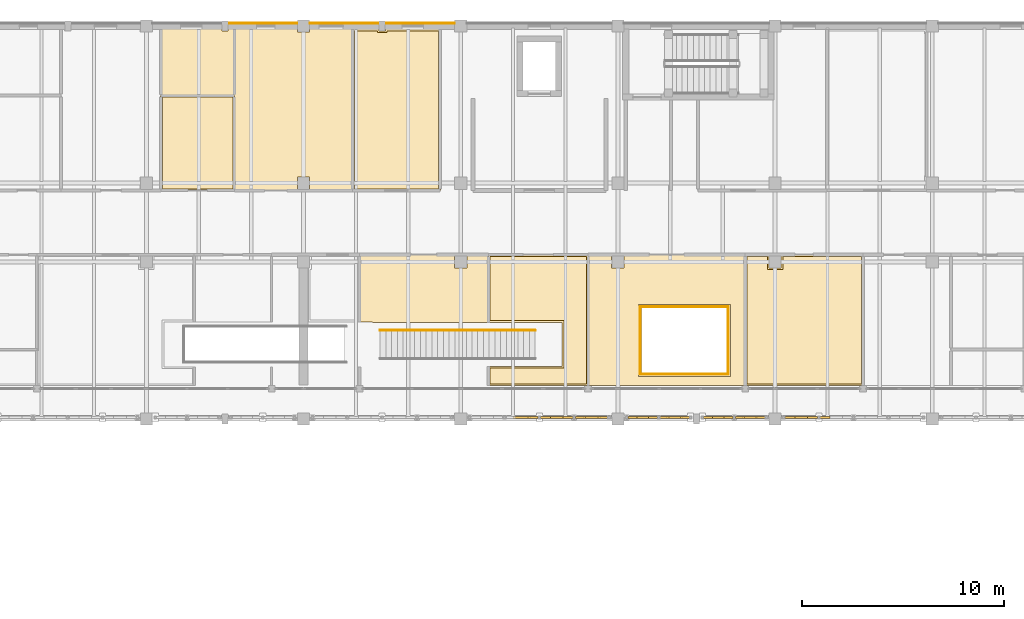
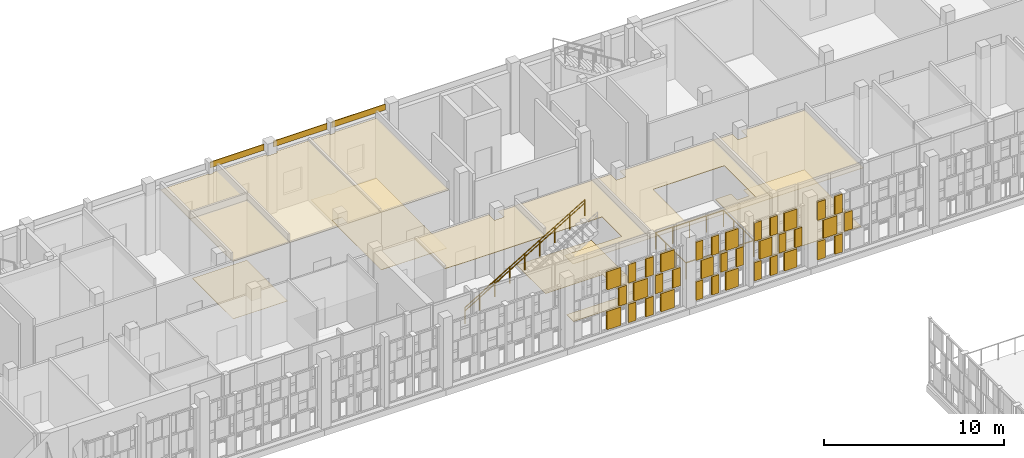
# One storey, part 134 of 138: 50 coverings, 6 railings.
"""IFC4 building model written with IfcOpenShell, lengths in metres."""

from ifc_helpers import new_model, si_unit, direction, frame, origin, origin_2d, place, context, subcontext, project, spatial, polyline, rectangle, circle, outline, extrude, material, layer, layer_set, type_object, element, save


model = new_model("IFC4")

# Units and contexts
model_context = context("Model", 3, precision=1e-05, world=origin(), true_north=direction((0.0, 1.0)))
body_context = subcontext(model_context, "Body", "Model", "MODEL_VIEW")
ifc_project = project(units=[si_unit("LENGTHUNIT", "METRE"), si_unit("AREAUNIT", "SQUARE_METRE"), si_unit("VOLUMEUNIT", "CUBIC_METRE"), si_unit("PLANEANGLEUNIT", "RADIAN"), si_unit("MASSUNIT", "GRAM", prefix="KILO")], contexts=[model_context])

# Site, building, storey
site_placement = place(None, origin())
site = spatial("IfcSite", under=ifc_project, at=site_placement, CompositionType="ELEMENT")
building_placement = place(site_placement, origin())
building = spatial("IfcBuilding", under=site, at=building_placement, Name="Celorna Specialist Clinic", CompositionType="ELEMENT")
storey_placement = place(building_placement, frame((0.0, 0.0, 4.800048828125)))
storey = spatial("IfcBuildingStorey", under=building, at=storey_placement, Name="L01", CompositionType="ELEMENT", Elevation=4.800048828125)

# Railings
ifc_material_1 = material(Name="Stainless steel and laminated glass balustrade", Category="steel")
railing_type_1 = type_object("IfcRailingType", Name="BL-01", PredefinedType="BALUSTRADE", material=ifc_material_1)
railing_1_placement = place(storey_placement, frame((105.199951171875, 100.89990234375, 0.17138671875)))
element("IfcRailing", 1, at=railing_1_placement, inside=storey, type_object=railing_type_1, Name="Feature stair ST-17 balustrade", PredefinedType="BALUSTRADE", context=body_context, shape_type="SweptSolid", body=[
    extrude(circle(Radius=0.02392578125, at=origin_2d()), frame((0.0, 0.0, 1.09619140625), z_axis=(0.856921461139, 0.0, 0.515446999642), x_axis=(0.0, 1.0, 0.0)), (0.0, 0.0, 1.0), 8.97998046875),
    extrude(circle(Radius=0.02099609375, at=origin_2d()), origin(), (0.0, 0.0, 1.0), 1.072021484375),
    extrude(circle(Radius=0.02099609375, at=origin_2d()), frame((0.9619140625, 0.0, 0.57861328125)), (0.0, 0.0, 1.0), 1.072021484375),
    extrude(circle(Radius=0.02099609375, at=origin_2d()), frame((1.923828125, 0.0, 1.1572265625)), (0.0, 0.0, 1.0), 1.072021484375),
    extrude(circle(Radius=0.02099609375, at=origin_2d()), frame((2.8857421875, 0.0, 1.73583984375)), (0.0, 0.0, 1.0), 1.072021484375),
    extrude(circle(Radius=0.02099609375, at=origin_2d()), frame((3.84765625, 0.0, 2.314453125)), (0.0, 0.0, 1.0), 1.072021484375),
    extrude(circle(Radius=0.02099609375, at=origin_2d()), frame((4.809326171875, 0.0, 2.892822265625)), (0.0, 0.0, 1.0), 1.072021484375),
    extrude(circle(Radius=0.02099609375, at=origin_2d()), frame((5.771240234375, 0.0, 3.471435546875)), (0.0, 0.0, 1.0), 1.072021484375),
    extrude(circle(Radius=0.02099609375, at=origin_2d()), frame((6.733154296875, 0.0, 4.050048828125)), (0.0, 0.0, 1.0), 1.072021484375),
    extrude(circle(Radius=0.02099609375, at=origin_2d()), frame((7.695068359375, 0.0, 4.628662109375)), (0.0, 0.0, 1.0), 1.072021484375),
])
railing_2_placement = place(storey_placement, frame((118.1201171875, 98.719970703125, 0.0)))
element("IfcRailing", 2, at=railing_2_placement, inside=storey, type_object=railing_type_1, Name="Clinical lightwell balustrade L01 #1-1", PredefinedType="BALUSTRADE", context=body_context, shape_type="SweptSolid", body=[
    extrude(circle(Radius=0.02392578125, at=origin_2d()), frame((0.0, 0.0, 1.09619140625), z_axis=(1.0, 0.0, 0.0), x_axis=(0.0, 1.0, 0.0)), (0.0, 0.0, 1.0), 4.35986328125),
    extrude(circle(Radius=0.02099609375, at=origin_2d()), origin(), (0.0, 0.0, 1.0), 1.072021484375),
    extrude(circle(Radius=0.02099609375, at=origin_2d()), frame((1.08984375, 0.0, 0.0)), (0.0, 0.0, 1.0), 1.072021484375),
    extrude(circle(Radius=0.02099609375, at=origin_2d()), frame((2.179931640625, 0.0, 0.0)), (0.0, 0.0, 1.0), 1.072021484375),
    extrude(circle(Radius=0.02099609375, at=origin_2d()), frame((3.27001953125, 0.0, 0.0)), (0.0, 0.0, 1.0), 1.072021484375),
    extrude(circle(Radius=0.02099609375, at=origin_2d()), frame((4.35986328125, 0.0, 0.0)), (0.0, 0.0, 1.0), 1.072021484375),
])
railing_3_placement = place(storey_placement, frame((122.47998046875, 98.719970703125, 0.0)))
element("IfcRailing", 3, at=railing_3_placement, inside=storey, type_object=railing_type_1, Name="Clinical lightwell balustrade L01 #1-2", PredefinedType="BALUSTRADE", context=body_context, shape_type="SweptSolid", body=[
    extrude(circle(Radius=0.02392578125, at=origin_2d()), frame((0.0, 0.0, 1.09619140625), z_axis=(0.0, 1.0, 0.0), x_axis=(-1.0, 0.0, 0.0)), (0.0, 0.0, 1.0), 3.360107421875),
    extrude(circle(Radius=0.02099609375, at=origin_2d()), origin(), (0.0, 0.0, 1.0), 1.072021484375),
    extrude(circle(Radius=0.02099609375, at=origin_2d()), frame((0.0, 1.1201171875, 0.0)), (0.0, 0.0, 1.0), 1.072021484375),
    extrude(circle(Radius=0.02099609375, at=origin_2d()), frame((0.0, 2.239990234375, 0.0)), (0.0, 0.0, 1.0), 1.072021484375),
    extrude(circle(Radius=0.02099609375, at=origin_2d()), frame((0.0, 3.360107421875, 0.0)), (0.0, 0.0, 1.0), 1.072021484375),
])
railing_4_placement = place(storey_placement, frame((122.47998046875, 102.080078125, 0.0)))
element("IfcRailing", 4, at=railing_4_placement, inside=storey, type_object=railing_type_1, Name="Clinical lightwell balustrade L01 #1-3", PredefinedType="BALUSTRADE", context=body_context, shape_type="SweptSolid", body=[
    extrude(circle(Radius=0.02392578125, at=origin_2d()), frame((0.0, 0.0, 1.09619140625), z_axis=(-1.0, 0.0, 0.0), x_axis=(0.0, -1.0, 0.0)), (0.0, 0.0, 1.0), 4.35986328125),
    extrude(circle(Radius=0.02099609375, at=origin_2d()), origin(), (0.0, 0.0, 1.0), 1.072021484375),
    extrude(circle(Radius=0.02099609375, at=origin_2d()), frame((-1.08984375, 0.0, 0.0)), (0.0, 0.0, 1.0), 1.072021484375),
    extrude(circle(Radius=0.02099609375, at=origin_2d()), frame((-2.179931640625, 0.0, 0.0)), (0.0, 0.0, 1.0), 1.072021484375),
    extrude(circle(Radius=0.02099609375, at=origin_2d()), frame((-3.27001953125, 0.0, 0.0)), (0.0, 0.0, 1.0), 1.072021484375),
    extrude(circle(Radius=0.02099609375, at=origin_2d()), frame((-4.35986328125, 0.0, 0.0)), (0.0, 0.0, 1.0), 1.072021484375),
])
railing_5_placement = place(storey_placement, frame((118.1201171875, 102.080078125, 0.0)))
element("IfcRailing", 5, at=railing_5_placement, inside=storey, type_object=railing_type_1, Name="Clinical lightwell balustrade L01 #1-4", PredefinedType="BALUSTRADE", context=body_context, shape_type="SweptSolid", body=[
    extrude(circle(Radius=0.02392578125, at=origin_2d()), frame((0.0, 0.0, 1.09619140625), z_axis=(0.0, -1.0, 0.0), x_axis=(1.0, 0.0, 0.0)), (0.0, 0.0, 1.0), 3.360107421875),
    extrude(circle(Radius=0.02099609375, at=origin_2d()), origin(), (0.0, 0.0, 1.0), 1.072021484375),
    extrude(circle(Radius=0.02099609375, at=origin_2d()), frame((0.0, -1.1201171875, 0.0)), (0.0, 0.0, 1.0), 1.072021484375),
    extrude(circle(Radius=0.02099609375, at=origin_2d()), frame((0.0, -2.239990234375, 0.0)), (0.0, 0.0, 1.0), 1.072021484375),
    extrude(circle(Radius=0.02099609375, at=origin_2d()), frame((0.0, -3.360107421875, 0.0)), (0.0, 0.0, 1.0), 1.072021484375),
])

# Coverings
ifc_material_2 = material(Name="Hygienic acoustic mineral-fibre ceiling")
ifc_layer_1 = layer(ifc_material_2, 0.030029296875, Name="Hygienic acoustic mineral-fibre ceiling")
ifc_layer_set_1 = layer_set([ifc_layer_1], Name="Hygienic acoustic mineral-fibre ceiling")
covering_type_1 = type_object("IfcCoveringType", Name="CE-01", PredefinedType="CEILING", material=ifc_layer_set_1)
covering_1_placement = place(storey_placement, frame((0.0, 0.0, 3.989990234375)))
element("IfcCovering", 6, at=covering_1_placement, inside=storey, type_object=covering_type_1, Name="Acoustic ceiling L01-063", PredefinedType="CEILING", context=body_context, shape_type="SweptSolid", body=[
    extrude(outline(polyline([(104.830078125, 101.31005859375), (104.155029296875, 101.31005859375), (104.155029296875, 104.6650390625), (108.905029296875, 104.6650390625), (108.905029296875, 104.60498046875), (108.89501953125, 104.60498046875), (108.89501953125, 103.9951171875), (109.5048828125, 103.9951171875), (109.5048828125, 104.60498046875), (109.4951171875, 104.60498046875), (109.4951171875, 104.6650390625), (110.5849609375, 104.6650390625), (110.5849609375, 101.284912109375), (104.830078125, 101.284912109375), (104.830078125, 101.31005859375)])), origin(), (0.0, 0.0, 1.0), 0.030029296875),
])
covering_2_placement = place(storey_placement, frame((0.0, 0.0, 3.989990234375)))
element("IfcCovering", 7, at=covering_2_placement, inside=storey, type_object=covering_type_1, Name="Acoustic ceiling L01-064", PredefinedType="CEILING", context=body_context, shape_type="SweptSolid", body=[
    extrude(outline(polyline([(115.534912109375, 98.155029296875), (110.554931640625, 98.155029296875), (110.554931640625, 99.114990234375), (114.22998046875, 99.114990234375), (114.22998046875, 101.284912109375), (110.554931640625, 101.284912109375), (110.554931640625, 104.6650390625), (115.534912109375, 104.6650390625), (115.534912109375, 98.155029296875)])), origin(), (0.0, 0.0, 1.0), 0.030029296875),
])
covering_3_placement = place(storey_placement, frame((0.0, 0.0, 3.989990234375)))
element("IfcCovering", 8, at=covering_3_placement, inside=storey, type_object=covering_type_1, Name="Acoustic ceiling L01-065", PredefinedType="CEILING", context=body_context, shape_type="SweptSolid", body=[
    extrude(outline(polyline([(116.705078125, 104.6650390625), (116.705078125, 104.60498046875), (116.695068359375, 104.60498046875), (116.695068359375, 103.9951171875), (117.304931640625, 103.9951171875), (117.304931640625, 104.60498046875), (117.294921875, 104.60498046875), (117.294921875, 104.6650390625), (123.3349609375, 104.6650390625), (123.3349609375, 98.155029296875), (115.5048828125, 98.155029296875), (115.5048828125, 104.6650390625), (116.705078125, 104.6650390625)]), holes=[polyline([(122.5849609375, 102.18505859375), (118.014892578125, 102.18505859375), (118.014892578125, 98.614990234375), (122.5849609375, 98.614990234375), (122.5849609375, 102.18505859375)])]), origin(), (0.0, 0.0, 1.0), 0.030029296875),
])
covering_4_placement = place(storey_placement, frame((0.0, 0.0, 3.989990234375)))
element("IfcCovering", 9, at=covering_4_placement, inside=storey, type_object=covering_type_1, Name="Acoustic ceiling L01-066", PredefinedType="CEILING", context=body_context, shape_type="SweptSolid", body=[
    extrude(outline(polyline([(124.5048828125, 104.6650390625), (124.5048828125, 104.60498046875), (124.4951171875, 104.60498046875), (124.4951171875, 103.9951171875), (125.10498046875, 103.9951171875), (125.10498046875, 104.60498046875), (125.094970703125, 104.60498046875), (125.094970703125, 104.6650390625), (129.18505859375, 104.6650390625), (129.18505859375, 98.155029296875), (123.304931640625, 98.155029296875), (123.304931640625, 104.6650390625), (124.5048828125, 104.6650390625)])), origin(), (0.0, 0.0, 1.0), 0.030029296875),
])
covering_5_placement = place(storey_placement, frame((0.0, 0.0, 3.989990234375)))
element("IfcCovering", 10, at=covering_5_placement, inside=storey, type_object=covering_type_1, Name="Acoustic ceiling L01-080", PredefinedType="CEILING", context=body_context, shape_type="SweptSolid", body=[
    extrude(outline(polyline([(97.985107421875, 112.56494140625), (97.985107421875, 107.8349609375), (94.304931640625, 107.8349609375), (94.304931640625, 112.56494140625), (97.985107421875, 112.56494140625)])), origin(), (0.0, 0.0, 1.0), 0.030029296875),
])
covering_6_placement = place(storey_placement, frame((0.0, 0.0, 3.989990234375)))
element("IfcCovering", 11, at=covering_6_placement, inside=storey, type_object=covering_type_1, Name="Acoustic ceiling L01-081", PredefinedType="CEILING", context=body_context, shape_type="SweptSolid", body=[
    extrude(outline(polyline([(101.094970703125, 115.844970703125), (101.094970703125, 115.695068359375), (101.705078125, 115.695068359375), (101.705078125, 115.844970703125), (103.8349609375, 115.844970703125), (103.8349609375, 107.8349609375), (101.695068359375, 107.8349609375), (101.695068359375, 107.89501953125), (101.705078125, 107.89501953125), (101.705078125, 108.5048828125), (101.094970703125, 108.5048828125), (101.094970703125, 107.89501953125), (101.10498046875, 107.89501953125), (101.10498046875, 107.8349609375), (97.955078125, 107.8349609375), (97.955078125, 112.534912109375), (94.304931640625, 112.534912109375), (94.304931640625, 115.844970703125), (97.344970703125, 115.844970703125), (97.344970703125, 115.7548828125), (97.655029296875, 115.7548828125), (97.655029296875, 115.844970703125), (101.094970703125, 115.844970703125)])), origin(), (0.0, 0.0, 1.0), 0.030029296875),
])
covering_7_placement = place(storey_placement, frame((0.0, 0.0, 3.989990234375)))
element("IfcCovering", 12, at=covering_7_placement, inside=storey, type_object=covering_type_1, Name="Acoustic ceiling L01-082", PredefinedType="CEILING", context=body_context, shape_type="SweptSolid", body=[
    extrude(outline(polyline([(105.14501953125, 115.844970703125), (105.14501953125, 115.7548828125), (105.455078125, 115.7548828125), (105.455078125, 115.844970703125), (108.18505859375, 115.844970703125), (108.18505859375, 107.8349609375), (103.804931640625, 107.8349609375), (103.804931640625, 115.844970703125), (105.14501953125, 115.844970703125)])), origin(), (0.0, 0.0, 1.0), 0.030029296875),
])
ifc_material_3 = material(Name="Pero Pinheiro Lioz limestone rainscreen cladding", Category="masonry")
ifc_layer_2 = layer(ifc_material_3, 0.044921875, Name="Pero Pinheiro Lioz limestone rainscreen cladding")
ifc_layer_set_2 = layer_set([ifc_layer_2], Name="Pero Pinheiro Lioz limestone rainscreen cladding")
covering_type_2 = type_object("IfcCoveringType", Name="CL-01", PredefinedType="CLADDING", material=ifc_layer_set_2)
for number, where, z_axis, x_axis, name in (
    (13, (99.375, 116.1474609375, 4.139892578125), (0.0, 0.0, 1.0), (1.0, 0.0, 0.0), "Lioz spandrel cladding #213"),
    (14, (103.425048828125, 116.1474609375, 4.139892578125), (0.0, 0.0, 1.0), (1.0, 0.0, 0.0), "Lioz spandrel cladding #214"),
    (15, (107.175048828125, 116.1474609375, 4.139892578125), (0.0, 0.0, 1.0), (1.0, 0.0, 0.0), "Lioz spandrel cladding #215"),
):
    element("IfcCovering", number, at=place(storey_placement, frame(where, z_axis=z_axis, x_axis=x_axis)), inside=storey, type_object=covering_type_2, Name=name, PredefinedType="CLADDING", context=body_context, shape_type="SweptSolid", body=[
        extrude(rectangle(XDim=3.449951171875, YDim=0.044921875, at=origin_2d()), origin(), (0.0, 0.0, 1.0), 0.39990234375),
    ])
ifc_material_4 = material(Name="Perforated terracotta brick weave cladding", Category="masonry")
ifc_layer_3 = layer(ifc_material_4, 0.114990234375, Name="Perforated terracotta brick weave cladding")
ifc_layer_set_3 = layer_set([ifc_layer_3], Name="Perforated terracotta brick weave cladding")
covering_type_3 = type_object("IfcCoveringType", Name="CL-02", PredefinedType="CLADDING", material=ifc_layer_set_3)
covering_8_placement = place(storey_placement, frame((112.235107421875, 96.570068359375, 0.10009765625), z_axis=(0.0, 0.0, 1.0), x_axis=(1.0, 0.0, 0.0)))
element("IfcCovering", 16, at=covering_8_placement, inside=storey, type_object=covering_type_3, Name="Woven perforated terracotta brick course #748", PredefinedType="CLADDING", context=body_context, shape_type="SweptSolid", body=[
    extrude(rectangle(XDim=0.869384765625, YDim=0.114990234375, at=origin_2d()), origin(), (0.0, 0.0, 1.0), 1.24658203125),
])
covering_9_placement = place(storey_placement, frame((112.79443359375, 96.570068359375, 1.44677734375), z_axis=(0.0, 0.0, 1.0), x_axis=(1.0, 0.0, 0.0)))
element("IfcCovering", 17, at=covering_9_placement, inside=storey, type_object=covering_type_3, Name="Woven perforated terracotta brick course #750", PredefinedType="CLADDING", context=body_context, shape_type="SweptSolid", body=[
    extrude(rectangle(XDim=0.4912109375, YDim=0.114990234375, at=origin_2d()), origin(), (0.0, 0.0, 1.0), 1.24658203125),
])
covering_10_placement = place(storey_placement, frame((112.235107421875, 96.570068359375, 2.793212890625), z_axis=(0.0, 0.0, 1.0), x_axis=(1.0, 0.0, 0.0)))
element("IfcCovering", 18, at=covering_10_placement, inside=storey, type_object=covering_type_3, Name="Woven perforated terracotta brick course #751", PredefinedType="CLADDING", context=body_context, shape_type="SweptSolid", body=[
    extrude(rectangle(XDim=0.869384765625, YDim=0.114990234375, at=origin_2d()), origin(), (0.0, 0.0, 1.0), 1.24658203125),
])
for number, where, z_axis, x_axis, name in (
    (19, (113.405517578125, 96.570068359375, 0.10009765625), (0.0, 0.0, 1.0), (1.0, 0.0, 0.0), "Woven perforated terracotta brick course #752"),
    (20, (114.5244140625, 96.570068359375, 0.10009765625), (0.0, 0.0, 1.0), (1.0, 0.0, 0.0), "Woven perforated terracotta brick course #753"),
):
    element("IfcCovering", number, at=place(storey_placement, frame(where, z_axis=z_axis, x_axis=x_axis)), inside=storey, type_object=covering_type_3, Name=name, PredefinedType="CLADDING", context=body_context, shape_type="SweptSolid", body=[
        extrude(rectangle(XDim=0.4912109375, YDim=0.114990234375, at=origin_2d()), origin(), (0.0, 0.0, 1.0), 1.24658203125),
    ])
covering_11_placement = place(storey_placement, frame((113.965087890625, 96.570068359375, 1.44677734375), z_axis=(0.0, 0.0, 1.0), x_axis=(1.0, 0.0, 0.0)))
element("IfcCovering", 21, at=covering_11_placement, inside=storey, type_object=covering_type_3, Name="Woven perforated terracotta brick course #754", PredefinedType="CLADDING", context=body_context, shape_type="SweptSolid", body=[
    extrude(rectangle(XDim=0.869384765625, YDim=0.114990234375, at=origin_2d()), origin(), (0.0, 0.0, 1.0), 1.24658203125),
])
for number, where, z_axis, x_axis, name in (
    (22, (113.405517578125, 96.570068359375, 2.793212890625), (0.0, 0.0, 1.0), (1.0, 0.0, 0.0), "Woven perforated terracotta brick course #755"),
    (23, (114.5244140625, 96.570068359375, 2.793212890625), (0.0, 0.0, 1.0), (1.0, 0.0, 0.0), "Woven perforated terracotta brick course #756"),
):
    element("IfcCovering", number, at=place(storey_placement, frame(where, z_axis=z_axis, x_axis=x_axis)), inside=storey, type_object=covering_type_3, Name=name, PredefinedType="CLADDING", context=body_context, shape_type="SweptSolid", body=[
        extrude(rectangle(XDim=0.4912109375, YDim=0.114990234375, at=origin_2d()), origin(), (0.0, 0.0, 1.0), 1.24658203125),
    ])
covering_12_placement = place(storey_placement, frame((115.695068359375, 96.570068359375, 0.10009765625), z_axis=(0.0, 0.0, 1.0), x_axis=(1.0, 0.0, 0.0)))
element("IfcCovering", 24, at=covering_12_placement, inside=storey, type_object=covering_type_3, Name="Woven perforated terracotta brick course #757", PredefinedType="CLADDING", context=body_context, shape_type="SweptSolid", body=[
    extrude(rectangle(XDim=0.869384765625, YDim=0.114990234375, at=origin_2d()), origin(), (0.0, 0.0, 1.0), 1.24658203125),
])
for number, where, z_axis, x_axis, name in (
    (25, (115.135498046875, 96.570068359375, 1.44677734375), (0.0, 0.0, 1.0), (1.0, 0.0, 0.0), "Woven perforated terracotta brick course #758"),
    (26, (116.25439453125, 96.570068359375, 1.44677734375), (0.0, 0.0, 1.0), (1.0, 0.0, 0.0), "Woven perforated terracotta brick course #759"),
):
    element("IfcCovering", number, at=place(storey_placement, frame(where, z_axis=z_axis, x_axis=x_axis)), inside=storey, type_object=covering_type_3, Name=name, PredefinedType="CLADDING", context=body_context, shape_type="SweptSolid", body=[
        extrude(rectangle(XDim=0.4912109375, YDim=0.114990234375, at=origin_2d()), origin(), (0.0, 0.0, 1.0), 1.24658203125),
    ])
covering_13_placement = place(storey_placement, frame((115.695068359375, 96.570068359375, 2.793212890625), z_axis=(0.0, 0.0, 1.0), x_axis=(1.0, 0.0, 0.0)))
element("IfcCovering", 27, at=covering_13_placement, inside=storey, type_object=covering_type_3, Name="Woven perforated terracotta brick course #760", PredefinedType="CLADDING", context=body_context, shape_type="SweptSolid", body=[
    extrude(rectangle(XDim=0.869384765625, YDim=0.114990234375, at=origin_2d()), origin(), (0.0, 0.0, 1.0), 1.24658203125),
])
for number, where, z_axis, x_axis, name in (
    (28, (117.723388671875, 96.570068359375, 0.10009765625), (0.0, 0.0, 1.0), (1.0, 0.0, 0.0), "Woven perforated terracotta brick course #761"),
    (29, (118.74169921875, 96.570068359375, 0.10009765625), (0.0, 0.0, 1.0), (1.0, 0.0, 0.0), "Woven perforated terracotta brick course #762"),
):
    element("IfcCovering", number, at=place(storey_placement, frame(where, z_axis=z_axis, x_axis=x_axis)), inside=storey, type_object=covering_type_3, Name=name, PredefinedType="CLADDING", context=body_context, shape_type="SweptSolid", body=[
        extrude(rectangle(XDim=0.44677734375, YDim=0.114990234375, at=origin_2d()), origin(), (0.0, 0.0, 1.0), 1.24658203125),
    ])
covering_14_placement = place(storey_placement, frame((118.232421875, 96.570068359375, 1.44677734375), z_axis=(0.0, 0.0, 1.0), x_axis=(1.0, 0.0, 0.0)))
element("IfcCovering", 30, at=covering_14_placement, inside=storey, type_object=covering_type_3, Name="Woven perforated terracotta brick course #763", PredefinedType="CLADDING", context=body_context, shape_type="SweptSolid", body=[
    extrude(rectangle(XDim=0.791015625, YDim=0.114990234375, at=origin_2d()), origin(), (0.0, 0.0, 1.0), 1.24658203125),
])
for number, where, z_axis, x_axis, name in (
    (31, (117.723388671875, 96.570068359375, 2.793212890625), (0.0, 0.0, 1.0), (1.0, 0.0, 0.0), "Woven perforated terracotta brick course #764"),
    (32, (118.74169921875, 96.570068359375, 2.793212890625), (0.0, 0.0, 1.0), (1.0, 0.0, 0.0), "Woven perforated terracotta brick course #765"),
):
    element("IfcCovering", number, at=place(storey_placement, frame(where, z_axis=z_axis, x_axis=x_axis)), inside=storey, type_object=covering_type_3, Name=name, PredefinedType="CLADDING", context=body_context, shape_type="SweptSolid", body=[
        extrude(rectangle(XDim=0.44677734375, YDim=0.114990234375, at=origin_2d()), origin(), (0.0, 0.0, 1.0), 1.24658203125),
    ])
covering_15_placement = place(storey_placement, frame((119.8173828125, 96.570068359375, 0.10009765625), z_axis=(0.0, 0.0, 1.0), x_axis=(1.0, 0.0, 0.0)))
element("IfcCovering", 33, at=covering_15_placement, inside=storey, type_object=covering_type_3, Name="Woven perforated terracotta brick course #766", PredefinedType="CLADDING", context=body_context, shape_type="SweptSolid", body=[
    extrude(rectangle(XDim=0.791015625, YDim=0.114990234375, at=origin_2d()), origin(), (0.0, 0.0, 1.0), 1.24658203125),
])
for number, where, z_axis, x_axis, name in (
    (34, (119.308349609375, 96.570068359375, 1.44677734375), (0.0, 0.0, 1.0), (1.0, 0.0, 0.0), "Woven perforated terracotta brick course #767"),
    (35, (120.32666015625, 96.570068359375, 1.44677734375), (0.0, 0.0, 1.0), (1.0, 0.0, 0.0), "Woven perforated terracotta brick course #768"),
):
    element("IfcCovering", number, at=place(storey_placement, frame(where, z_axis=z_axis, x_axis=x_axis)), inside=storey, type_object=covering_type_3, Name=name, PredefinedType="CLADDING", context=body_context, shape_type="SweptSolid", body=[
        extrude(rectangle(XDim=0.44677734375, YDim=0.114990234375, at=origin_2d()), origin(), (0.0, 0.0, 1.0), 1.24658203125),
    ])
covering_16_placement = place(storey_placement, frame((119.8173828125, 96.570068359375, 2.793212890625), z_axis=(0.0, 0.0, 1.0), x_axis=(1.0, 0.0, 0.0)))
element("IfcCovering", 36, at=covering_16_placement, inside=storey, type_object=covering_type_3, Name="Woven perforated terracotta brick course #769", PredefinedType="CLADDING", context=body_context, shape_type="SweptSolid", body=[
    extrude(rectangle(XDim=0.791015625, YDim=0.114990234375, at=origin_2d()), origin(), (0.0, 0.0, 1.0), 1.24658203125),
])
for number, where, z_axis, x_axis, name in (
    (37, (121.473388671875, 96.570068359375, 0.10009765625), (0.0, 0.0, 1.0), (1.0, 0.0, 0.0), "Woven perforated terracotta brick course #770"),
    (38, (122.49169921875, 96.570068359375, 0.10009765625), (0.0, 0.0, 1.0), (1.0, 0.0, 0.0), "Woven perforated terracotta brick course #771"),
):
    element("IfcCovering", number, at=place(storey_placement, frame(where, z_axis=z_axis, x_axis=x_axis)), inside=storey, type_object=covering_type_3, Name=name, PredefinedType="CLADDING", context=body_context, shape_type="SweptSolid", body=[
        extrude(rectangle(XDim=0.44677734375, YDim=0.114990234375, at=origin_2d()), origin(), (0.0, 0.0, 1.0), 1.24658203125),
    ])
covering_17_placement = place(storey_placement, frame((121.982421875, 96.570068359375, 1.44677734375), z_axis=(0.0, 0.0, 1.0), x_axis=(1.0, 0.0, 0.0)))
element("IfcCovering", 39, at=covering_17_placement, inside=storey, type_object=covering_type_3, Name="Woven perforated terracotta brick course #772", PredefinedType="CLADDING", context=body_context, shape_type="SweptSolid", body=[
    extrude(rectangle(XDim=0.791015625, YDim=0.114990234375, at=origin_2d()), origin(), (0.0, 0.0, 1.0), 1.24658203125),
])
for number, where, z_axis, x_axis, name in (
    (40, (121.473388671875, 96.570068359375, 2.793212890625), (0.0, 0.0, 1.0), (1.0, 0.0, 0.0), "Woven perforated terracotta brick course #773"),
    (41, (122.49169921875, 96.570068359375, 2.793212890625), (0.0, 0.0, 1.0), (1.0, 0.0, 0.0), "Woven perforated terracotta brick course #774"),
):
    element("IfcCovering", number, at=place(storey_placement, frame(where, z_axis=z_axis, x_axis=x_axis)), inside=storey, type_object=covering_type_3, Name=name, PredefinedType="CLADDING", context=body_context, shape_type="SweptSolid", body=[
        extrude(rectangle(XDim=0.44677734375, YDim=0.114990234375, at=origin_2d()), origin(), (0.0, 0.0, 1.0), 1.24658203125),
    ])
covering_18_placement = place(storey_placement, frame((123.5673828125, 96.570068359375, 0.10009765625), z_axis=(0.0, 0.0, 1.0), x_axis=(1.0, 0.0, 0.0)))
element("IfcCovering", 42, at=covering_18_placement, inside=storey, type_object=covering_type_3, Name="Woven perforated terracotta brick course #775", PredefinedType="CLADDING", context=body_context, shape_type="SweptSolid", body=[
    extrude(rectangle(XDim=0.791015625, YDim=0.114990234375, at=origin_2d()), origin(), (0.0, 0.0, 1.0), 1.24658203125),
])
for number, where, z_axis, x_axis, name in (
    (43, (123.058349609375, 96.570068359375, 1.44677734375), (0.0, 0.0, 1.0), (1.0, 0.0, 0.0), "Woven perforated terracotta brick course #776"),
    (44, (124.07666015625, 96.570068359375, 1.44677734375), (0.0, 0.0, 1.0), (1.0, 0.0, 0.0), "Woven perforated terracotta brick course #777"),
):
    element("IfcCovering", number, at=place(storey_placement, frame(where, z_axis=z_axis, x_axis=x_axis)), inside=storey, type_object=covering_type_3, Name=name, PredefinedType="CLADDING", context=body_context, shape_type="SweptSolid", body=[
        extrude(rectangle(XDim=0.44677734375, YDim=0.114990234375, at=origin_2d()), origin(), (0.0, 0.0, 1.0), 1.24658203125),
    ])
covering_19_placement = place(storey_placement, frame((123.5673828125, 96.570068359375, 2.793212890625), z_axis=(0.0, 0.0, 1.0), x_axis=(1.0, 0.0, 0.0)))
element("IfcCovering", 45, at=covering_19_placement, inside=storey, type_object=covering_type_3, Name="Woven perforated terracotta brick course #778", PredefinedType="CLADDING", context=body_context, shape_type="SweptSolid", body=[
    extrude(rectangle(XDim=0.791015625, YDim=0.114990234375, at=origin_2d()), origin(), (0.0, 0.0, 1.0), 1.24658203125),
])
for number, where, z_axis, x_axis, name in (
    (46, (125.54541015625, 96.570068359375, 0.10009765625), (0.0, 0.0, 1.0), (1.0, 0.0, 0.0), "Woven perforated terracotta brick course #779"),
    (47, (126.66455078125, 96.570068359375, 0.10009765625), (0.0, 0.0, 1.0), (1.0, 0.0, 0.0), "Woven perforated terracotta brick course #780"),
):
    element("IfcCovering", number, at=place(storey_placement, frame(where, z_axis=z_axis, x_axis=x_axis)), inside=storey, type_object=covering_type_3, Name=name, PredefinedType="CLADDING", context=body_context, shape_type="SweptSolid", body=[
        extrude(rectangle(XDim=0.490966796875, YDim=0.114990234375, at=origin_2d()), origin(), (0.0, 0.0, 1.0), 1.24658203125),
    ])
covering_20_placement = place(storey_placement, frame((126.10498046875, 96.570068359375, 1.44677734375), z_axis=(0.0, 0.0, 1.0), x_axis=(1.0, 0.0, 0.0)))
element("IfcCovering", 48, at=covering_20_placement, inside=storey, type_object=covering_type_3, Name="Woven perforated terracotta brick course #781", PredefinedType="CLADDING", context=body_context, shape_type="SweptSolid", body=[
    extrude(rectangle(XDim=0.869384765625, YDim=0.114990234375, at=origin_2d()), origin(), (0.0, 0.0, 1.0), 1.24658203125),
])
for number, where, z_axis, x_axis, name in (
    (49, (125.54541015625, 96.570068359375, 2.793212890625), (0.0, 0.0, 1.0), (1.0, 0.0, 0.0), "Woven perforated terracotta brick course #782"),
    (50, (126.66455078125, 96.570068359375, 2.793212890625), (0.0, 0.0, 1.0), (1.0, 0.0, 0.0), "Woven perforated terracotta brick course #783"),
    (51, (127.275390625, 96.570068359375, 1.44677734375), (0.0, 0.0, 1.0), (1.0, 0.0, 0.0), "Woven perforated terracotta brick course #785"),
):
    element("IfcCovering", number, at=place(storey_placement, frame(where, z_axis=z_axis, x_axis=x_axis)), inside=storey, type_object=covering_type_3, Name=name, PredefinedType="CLADDING", context=body_context, shape_type="SweptSolid", body=[
        extrude(rectangle(XDim=0.490966796875, YDim=0.114990234375, at=origin_2d()), origin(), (0.0, 0.0, 1.0), 1.24658203125),
    ])
ifc_material_5 = material(Name="Seamless antimicrobial clinical vinyl and Lioz terrazzo flooring")
ifc_layer_4 = layer(ifc_material_5, 0.02001953125, Name="Seamless antimicrobial clinical vinyl and Lioz terrazzo flooring")
ifc_layer_set_4 = layer_set([ifc_layer_4], Name="Seamless antimicrobial clinical vinyl and Lioz terrazzo flooring")
covering_type_4 = type_object("IfcCoveringType", Name="FL-01", PredefinedType="FLOORING", material=ifc_layer_set_4)
covering_21_placement = place(storey_placement, origin())
element("IfcCovering", 52, at=covering_21_placement, inside=storey, type_object=covering_type_4, Name="Antimicrobial clinical flooring L01-064", PredefinedType="FLOORING", context=body_context, shape_type="SweptSolid", body=[
    extrude(outline(polyline([(115.445068359375, 104.574951171875), (115.445068359375, 98.2451171875), (110.64501953125, 98.2451171875), (110.64501953125, 99.02490234375), (114.320068359375, 99.02490234375), (114.320068359375, 101.375), (110.64501953125, 101.375), (110.64501953125, 104.574951171875), (115.445068359375, 104.574951171875)])), origin(), (0.0, 0.0, 1.0), 0.02001953125),
])
covering_22_placement = place(storey_placement, origin())
element("IfcCovering", 53, at=covering_22_placement, inside=storey, type_object=covering_type_4, Name="Antimicrobial clinical flooring L01-066", PredefinedType="FLOORING", context=body_context, shape_type="SweptSolid", body=[
    extrude(outline(polyline([(123.39501953125, 104.574951171875), (124.4150390625, 104.574951171875), (124.4150390625, 103.9150390625), (125.18505859375, 103.9150390625), (125.18505859375, 104.574951171875), (129.094970703125, 104.574951171875), (129.094970703125, 98.2451171875), (123.39501953125, 98.2451171875), (123.39501953125, 104.574951171875)])), origin(), (0.0, 0.0, 1.0), 0.02001953125),
])
covering_23_placement = place(storey_placement, origin())
element("IfcCovering", 54, at=covering_23_placement, inside=storey, type_object=covering_type_4, Name="Antimicrobial clinical flooring L01-080", PredefinedType="FLOORING", context=body_context, shape_type="SweptSolid", body=[
    extrude(outline(polyline([(94.39501953125, 112.47509765625), (97.89501953125, 112.47509765625), (97.89501953125, 107.925048828125), (94.39501953125, 107.925048828125), (94.39501953125, 112.47509765625)])), origin(), (0.0, 0.0, 1.0), 0.02001953125),
])
covering_24_placement = place(storey_placement, origin())
element("IfcCovering", 55, at=covering_24_placement, inside=storey, type_object=covering_type_4, Name="Antimicrobial clinical flooring L01-082", PredefinedType="FLOORING", context=body_context, shape_type="SweptSolid", body=[
    extrude(outline(polyline([(103.89501953125, 115.7548828125), (105.06494140625, 115.7548828125), (105.06494140625, 115.675048828125), (105.534912109375, 115.675048828125), (105.534912109375, 115.7548828125), (108.094970703125, 115.7548828125), (108.094970703125, 107.925048828125), (103.89501953125, 107.925048828125), (103.89501953125, 115.7548828125)])), origin(), (0.0, 0.0, 1.0), 0.02001953125),
])

# Railing
ifc_material_6 = material(Name="Brushed stainless steel handrail", Category="steel")
railing_type_2 = type_object("IfcRailingType", Name="HR-01", PredefinedType="HANDRAIL", material=ifc_material_6)
railing_6_placement = place(storey_placement, frame((105.199951171875, 100.89990234375, 0.17138671875)))
element("IfcRailing", 56, at=railing_6_placement, inside=storey, type_object=railing_type_2, Name="Feature stair ST-17 handrail", PredefinedType="HANDRAIL", context=body_context, shape_type="SweptSolid", body=[
    extrude(circle(Radius=0.02392578125, at=origin_2d()), frame((0.0, 0.0, 0.8759765625), z_axis=(0.856921461139, 0.0, 0.515446999642), x_axis=(0.0, 1.0, 0.0)), (0.0, 0.0, 1.0), 8.97998046875),
    extrude(circle(Radius=0.02099609375, at=origin_2d()), origin(), (0.0, 0.0, 1.0), 0.851806640625),
    extrude(circle(Radius=0.02099609375, at=origin_2d()), frame((0.9619140625, 0.0, 0.57861328125)), (0.0, 0.0, 1.0), 0.851806640625),
    extrude(circle(Radius=0.02099609375, at=origin_2d()), frame((1.923828125, 0.0, 1.1572265625)), (0.0, 0.0, 1.0), 0.851806640625),
    extrude(circle(Radius=0.02099609375, at=origin_2d()), frame((2.8857421875, 0.0, 1.73583984375)), (0.0, 0.0, 1.0), 0.851806640625),
    extrude(circle(Radius=0.02099609375, at=origin_2d()), frame((3.84765625, 0.0, 2.314453125)), (0.0, 0.0, 1.0), 0.851806640625),
    extrude(circle(Radius=0.02099609375, at=origin_2d()), frame((4.809326171875, 0.0, 2.892822265625)), (0.0, 0.0, 1.0), 0.851806640625),
    extrude(circle(Radius=0.02099609375, at=origin_2d()), frame((5.771240234375, 0.0, 3.471435546875)), (0.0, 0.0, 1.0), 0.851806640625),
    extrude(circle(Radius=0.02099609375, at=origin_2d()), frame((6.733154296875, 0.0, 4.050048828125)), (0.0, 0.0, 1.0), 0.851806640625),
    extrude(circle(Radius=0.02099609375, at=origin_2d()), frame((7.695068359375, 0.0, 4.628662109375)), (0.0, 0.0, 1.0), 0.851806640625),
])

save(model, "model.ifc")
